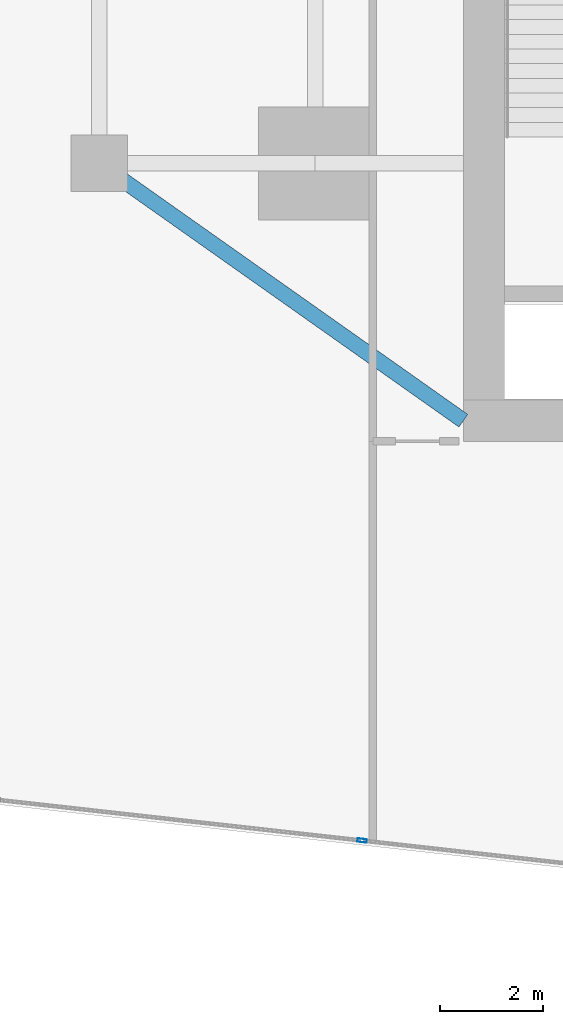
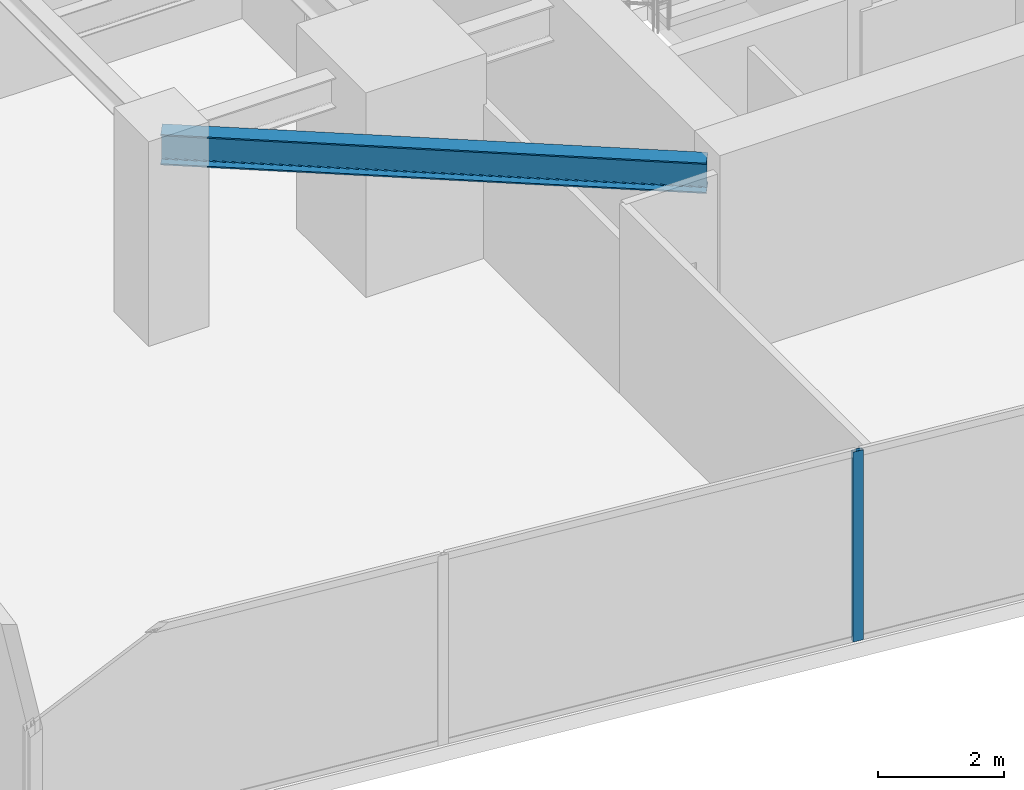
# One storey, part 4 of 28: 1 beam, 1 member, 1 element without a shape of its own.
"""IFC4 building model written with IfcOpenShell, lengths in metres."""

from ifc_helpers import new_model, si_unit, direction, frame, origin, origin_2d, place, context, subcontext, project, spatial, hollow_rectangle, i_section, extrude, source, transform, mapped, material, material_profile, profile_set, type_object, type_shapes, element, aggregate, save


model = new_model("IFC4")

# Units and contexts
model_context = context("Model", 3, precision=1e-05, world=origin(), true_north=direction((0.0, 1.0)))
body_context = subcontext(model_context, "Body", "Model", "MODEL_VIEW")
ifc_project = project(units=[si_unit("LENGTHUNIT", "METRE"), si_unit("AREAUNIT", "SQUARE_METRE"), si_unit("VOLUMEUNIT", "CUBIC_METRE"), si_unit("PLANEANGLEUNIT", "RADIAN"), si_unit("MASSUNIT", "GRAM", prefix="KILO")], contexts=[model_context])

# Site, building, storey
site_placement = place(None, origin())
site = spatial("IfcSite", under=ifc_project, at=site_placement, CompositionType="ELEMENT")
building_placement = place(site_placement, origin())
building = spatial("IfcBuilding", under=site, at=building_placement, Name="Krantzveldt Concourse Tower", CompositionType="ELEMENT")
storey_placement = place(building_placement, frame((0.0, 0.0, 64.5)))
storey = spatial("IfcBuildingStorey", under=building, at=storey_placement, Name="L15", CompositionType="ELEMENT", Elevation=64.5)

# Beam
ifc_material_1 = material(Name="Steel S355JR", Category="steel")
ifc_material_profile_1 = material_profile(ifc_material_1, i_section(OverallWidth=0.300048828125, OverallDepth=0.590087890625, WebThickness=0.012939453125, FlangeThickness=0.02490234375, FilletRadius=0.027099609375, at=origin_2d()), Name="Steel S355JR", Category="steel")
ifc_profile_set_1 = profile_set([ifc_material_profile_1], Name="Steel S355JR - HEA 600")
beam_type = type_object("IfcBeamType", Name="BM-B-HEA600", PredefinedType="BEAM", material=ifc_profile_set_1)
shared_shape_1 = source(origin(), body_context, "Body", "SweptSolid", [
    extrude(i_section(OverallWidth=0.300048828125, OverallDepth=0.590087890625, WebThickness=0.012939453125, FlangeThickness=0.02490234375, FilletRadius=0.027099609375, at=origin_2d()), origin(), (0.0, 0.0, 1.0), 8.667724609375),
])
type_shapes(beam_type, [shared_shape_1])
beam_placement = place(storey_placement, frame((21.0, 15.89990234375, 3.375), z_axis=(0.81684294656, -0.576860122261, 0.0), x_axis=(0.576860122261, 0.81684294656, 0.0)))
element("IfcBeam", 1, at=beam_placement, inside=storey, type_object=beam_type, Name="L15 Tower Girder BR-CSW", PredefinedType="BEAM", context=body_context, shape_type="MappedRepresentation", body=[
    mapped(shared_shape_1, transform((0.0, 0.0, 0.0), x_axis=(1.0, 0.0, 0.0), y_axis=(0.0, 1.0, 0.0), z_axis=(0.0, 0.0, 1.0), scale=1.0)),
])

# Curtain wall, member
ifc_material_2 = material(Name="Anodised aluminium 6063-T6", Category="aluminium")
curtain_wall_type = type_object("IfcCurtainWallType", Name="CW2", PredefinedType="USERDEFINED", material=ifc_material_2)
curtain_wall_placement = place(storey_placement, origin())
curtain_wall = element("IfcCurtainWall", 2, at=curtain_wall_placement, inside=storey, type_object=curtain_wall_type, Name="CW-L15-F04", ObjectType="UNITISED CURTAIN WALL", PredefinedType="USERDEFINED")
ifc_material_profile_2 = material_profile(ifc_material_2, hollow_rectangle(XDim=0.070068359375, YDim=0.179931640625, WallThickness=0.0048828125, at=origin_2d()), Name="Anodised aluminium 6063-T6", Category="aluminium")
ifc_profile_set_2 = profile_set([ifc_material_profile_2], Name="Anodised aluminium 6063-T6 - ALU-MULL 180x70x5")
member_type = type_object("IfcMemberType", Name="CW-MUL-180", PredefinedType="MULLION", material=ifc_profile_set_2)
shared_shape_2 = source(origin(), body_context, "Body", "SweptSolid", [
    extrude(hollow_rectangle(XDim=0.070068359375, YDim=0.179931640625, WallThickness=0.0048828125, at=origin_2d()), origin(), (0.0, 0.0, 1.0), 3.669921875),
])
type_shapes(member_type, [shared_shape_2])
member_placement = place(storey_placement, frame((26.11181640625, 2.73974609375, 0.0), z_axis=(0.0, 0.0, 1.0), x_axis=(0.111035342863, 0.993816458223, 0.0)))
member = element("IfcMember", 3, at=member_placement, type_object=member_type, Name="CW-Z12 mullion 3", PredefinedType="MULLION", context=body_context, shape_type="MappedRepresentation", body=[
    mapped(shared_shape_2, transform((0.0, 0.0, 0.0), x_axis=(1.0, 0.0, 0.0), y_axis=(0.0, 1.0, 0.0), z_axis=(0.0, 0.0, 1.0), scale=1.0)),
])
aggregate(curtain_wall, [member])

save(model, "model.ifc")
